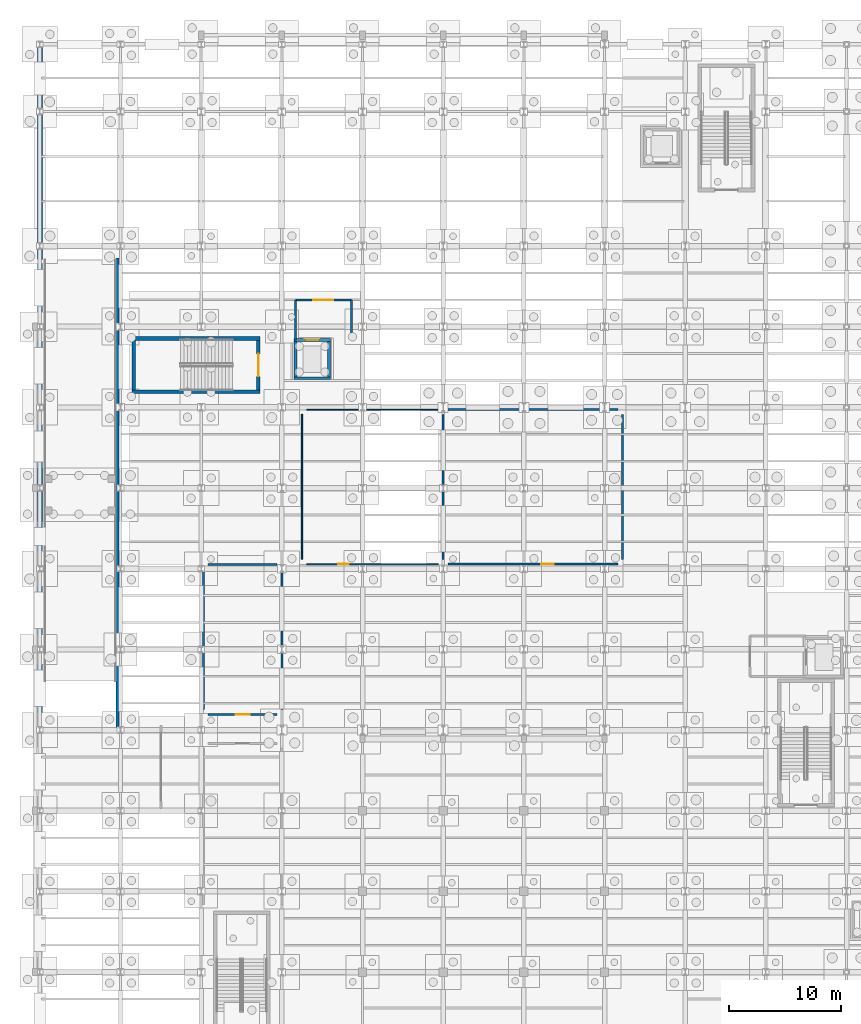
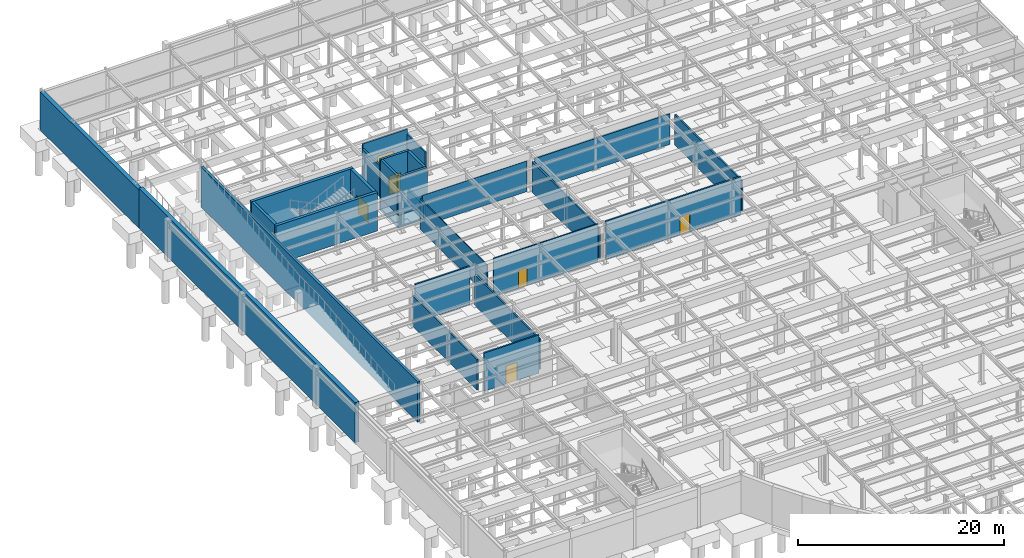
# One storey, part 47 of 64: 29 walls, 6 doors, 6 openings.
"""IFC4 building model written with IfcOpenShell, lengths in metres."""

from ifc_helpers import new_model, si_unit, direction, frame, frame_2d, origin, place, context, subcontext, project, spatial, rectangle, extrude, material, layer, layer_set, type_object, element, fill, save


model = new_model("IFC4")

# Units and contexts
model_context = context("Model", 3, precision=1e-05, world=origin(), true_north=direction((0.0, 1.0)))
body_context = subcontext(model_context, "Body", "Model", "MODEL_VIEW")
ifc_project = project(units=[si_unit("LENGTHUNIT", "METRE"), si_unit("AREAUNIT", "SQUARE_METRE"), si_unit("VOLUMEUNIT", "CUBIC_METRE"), si_unit("PLANEANGLEUNIT", "RADIAN"), si_unit("MASSUNIT", "GRAM", prefix="KILO")], contexts=[model_context])

# Site, building, storey
site_placement = place(None, origin())
site = spatial("IfcSite", under=ifc_project, at=site_placement, CompositionType="ELEMENT")
building_placement = place(site_placement, origin())
building = spatial("IfcBuilding", under=site, at=building_placement, Name="Solvadek Multi-Sports Hall", CompositionType="ELEMENT")
storey_placement = place(building_placement, frame((0.0, 0.0, -4.800048828125)))
storey = spatial("IfcBuildingStorey", under=building, at=storey_placement, Name="B1", CompositionType="ELEMENT", Elevation=-4.800048828125)

# Walls
ifc_material_1 = material(Name="Concrete M40", Category="concrete")
ifc_layer_1 = layer(ifc_material_1, 0.449951171875, Name="Concrete M40")
ifc_layer_set_1 = layer_set([ifc_layer_1], Name="Concrete M40")
wall_type_1 = type_object("IfcWallType", Name="ENV-WAL-RET450", PredefinedType="USERDEFINED", material=ifc_layer_set_1)
wall_1_placement = place(storey_placement, frame((0.0, 110.39990234375, 0.0), z_axis=(0.0, 0.0, 1.0), x_axis=(0.0, -1.0, 0.0)))
element("IfcWall", 1, at=wall_1_placement, inside=storey, type_object=wall_type_1, Name="B1 Basement Retaining Wall #69", ObjectType="RETAININGWALL", PredefinedType="USERDEFINED", context=body_context, shape_type="SweptSolid", body=[
    extrude(rectangle(XDim=19.199951171875, YDim=0.449951171875, at=frame_2d((9.60009765625, 0.0))), origin(), (0.0, 0.0, 1.0), 4.550048828125),
])
wall_2_placement = place(storey_placement, frame((0.0, 91.199951171875, 0.0), z_axis=(0.0, 0.0, 1.0), x_axis=(0.0, -1.0, 0.0)))
element("IfcWall", 2, at=wall_2_placement, inside=storey, type_object=wall_type_1, Name="B1 Basement Ramp Perimeter Retaining Wall #71", ObjectType="RETAININGWALL", PredefinedType="USERDEFINED", context=body_context, shape_type="SweptSolid", body=[
    extrude(rectangle(XDim=42.0, YDim=0.449951171875, at=frame_2d((21.0, 0.0))), origin(), (0.0, 0.0, 1.0), 4.78515625),
])

# Wall, opening, door
ifc_material_2 = material(Name="Autoclaved aerated concrete blockwork", Category="masonry")
ifc_layer_2 = layer(ifc_material_2, 0.10498046875, Name="Autoclaved aerated concrete blockwork")
ifc_layer_set_2 = layer_set([ifc_layer_2], Name="Autoclaved aerated concrete blockwork")
wall_type_2 = type_object("IfcWallType", Name="INT-WAL-PRT105", PredefinedType="PARTITIONING", material=ifc_layer_set_2)
wall_3_placement = place(storey_placement, frame((23.824951171875, 64.0048828125, 0.0), z_axis=(0.0, 0.0, 1.0), x_axis=(1.0, 0.0, 0.0)))
wall_3 = element("IfcWall", 3, at=wall_3_placement, inside=storey, type_object=wall_type_2, Name="B1 Partition Wall B1-09 S", PredefinedType="PARTITIONING", context=body_context, shape_type="SweptSolid", body=[
    extrude(rectangle(XDim=11.75, YDim=0.10498046875, at=frame_2d((5.875, 0.0))), origin(), (0.0, 0.0, 1.0), 4.53515625),
])
opening_1_placement = place(wall_3_placement, frame((2.800048828125, 0.0, 0.0)))
opening_1 = element("IfcOpeningElement", 4, at=opening_1_placement, cuts=wall_3, Name="Opening D-02", PredefinedType="OPENING", context=body_context, shape_type="SweptSolid", body=[
    extrude(rectangle(XDim=0.949951171875, YDim=2.10009765625, at=frame_2d((0.47509765625, 1.050048828125))), frame((0.0, 0.0625, 0.0), z_axis=(0.0, -1.0, 0.0), x_axis=(1.0, 0.0, 0.0)), (0.0, 0.0, 1.0), 0.125),
])
ifc_material_3 = material(Name="Teak hardwood timber", Category="wood")
door_type_1 = type_object("IfcDoorType", Name="INT-DOR-RM095X210", OperationType="NOTDEFINED", PredefinedType="DOOR", material=ifc_material_3)
door_1_placement = place(opening_1_placement, origin())
door_1 = element("IfcDoor", 5, at=door_1_placement, inside=storey, type_object=door_type_1, Name="B1 B1-09 Door #23", OperationType="SINGLE_SWING_RIGHT", OverallHeight=2.10009765625, OverallWidth=0.949951171875, PredefinedType="DOOR", context=body_context, shape_type="SweptSolid", body=[
    extrude(rectangle(XDim=0.949951171875, YDim=2.10009765625, at=frame_2d((0.47509765625, 1.050048828125))), frame((0.0, 0.02490234375, 0.0), z_axis=(0.0, -1.0, 0.0), x_axis=(1.0, 0.0, 0.0)), (0.0, 0.0, 1.0), 0.050048828125),
])
fill(opening_1, door_1)

# Walls
wall_4_placement = place(storey_placement, frame((23.824951171875, 77.800048828125, 0.0), z_axis=(0.0, 0.0, 1.0), x_axis=(1.0, 0.0, 0.0)))
element("IfcWall", 6, at=wall_4_placement, inside=storey, type_object=wall_type_2, Name="B1 Partition Wall B1-09 N", PredefinedType="PARTITIONING", context=body_context, shape_type="SweptSolid", body=[
    extrude(rectangle(XDim=11.75, YDim=0.10498046875, at=frame_2d((5.875, 0.0))), origin(), (0.0, 0.0, 1.0), 3.630126953125),
])
wall_5_placement = place(storey_placement, frame((23.405029296875, 64.425048828125, 0.0), z_axis=(0.0, 0.0, 1.0), x_axis=(0.0, 1.0, 0.0)))
element("IfcWall", 7, at=wall_5_placement, inside=storey, type_object=wall_type_2, Name="B1 Partition Wall B1-09 W", PredefinedType="PARTITIONING", context=body_context, shape_type="SweptSolid", body=[
    extrude(rectangle(XDim=12.954833984375, YDim=0.10498046875, at=frame_2d((6.4775390625, 0.0))), origin(), (0.0, 0.0, 1.0), 3.630126953125),
])

# Wall, opening, door
ifc_layer_3 = layer(ifc_material_2, 0.179931640625, Name="Autoclaved aerated concrete blockwork")
ifc_layer_set_3 = layer_set([ifc_layer_3], Name="Autoclaved aerated concrete blockwork")
wall_type_3 = type_object("IfcWallType", Name="INT-WAL-PRT180", PredefinedType="PARTITIONING", material=ifc_layer_set_3)
wall_6_placement = place(storey_placement, frame((22.800048828125, 87.60009765625, 0.0), z_axis=(0.0, 0.0, 1.0), x_axis=(1.0, 0.0, 0.0)))
wall_6 = element("IfcWall", 8, at=wall_6_placement, inside=storey, type_object=wall_type_3, Name="B1 Firefighting Lobby LF-01 Rated Wall N", PredefinedType="PARTITIONING", context=body_context, shape_type="SweptSolid", body=[
    extrude(rectangle(XDim=5.0, YDim=0.179931640625, at=frame_2d((2.5, 0.0))), origin(), (0.0, 0.0, 1.0), 4.199951171875),
])
opening_2_placement = place(wall_6_placement, frame((1.60009765625, 0.0, 0.0)))
opening_2 = element("IfcOpeningElement", 9, at=opening_2_placement, cuts=wall_6, Name="Opening FD120B", PredefinedType="OPENING", context=body_context, shape_type="SweptSolid", body=[
    extrude(rectangle(XDim=1.800048828125, YDim=2.14990234375, at=frame_2d((0.89990234375, 1.074951171875))), frame((0.0, 0.099853515625, 0.0), z_axis=(0.0, -1.0, 0.0), x_axis=(1.0, 0.0, 0.0)), (0.0, 0.0, 1.0), 0.199951171875),
])
ifc_material_4 = material(Name="Steel E250 (250 MPa)", Category="steel")
door_type_2 = type_object("IfcDoorType", Name="INT-DOR-FD180X215", OperationType="DOUBLE_DOOR_SINGLE_SWING", PredefinedType="DOOR", material=ifc_material_4)
door_2_placement = place(opening_2_placement, origin())
door_2 = element("IfcDoor", 10, at=door_2_placement, inside=storey, type_object=door_type_2, Name="B1 Firefighting Lobby LF-01 Fire Door", OperationType="DOUBLE_DOOR_SINGLE_SWING", OverallHeight=2.14990234375, OverallWidth=1.800048828125, PredefinedType="DOOR", context=body_context, shape_type="SweptSolid", body=[
    extrude(rectangle(XDim=1.800048828125, YDim=2.14990234375, at=frame_2d((0.89990234375, 1.074951171875))), frame((0.0, 0.02490234375, 0.0), z_axis=(0.0, -1.0, 0.0), x_axis=(1.0, 0.0, 0.0)), (0.0, 0.0, 1.0), 0.050048828125),
])
fill(opening_2, door_2)

# Walls
for number, where, z_axis, x_axis, name in (
    (11, (22.800048828125, 84.0, 0.0), (0.0, 0.0, 1.0), (0.0, 1.0, 0.0), "B1 Firefighting Lobby LF-01 Rated Wall W"),
    (12, (27.800048828125, 84.0, 0.0), (0.0, 0.0, 1.0), (0.0, 1.0, 0.0), "B1 Firefighting Lobby LF-01 Rated Wall E"),
):
    element("IfcWall", number, at=place(storey_placement, frame(where, z_axis=z_axis, x_axis=x_axis)), inside=storey, type_object=wall_type_3, Name=name, PredefinedType="PARTITIONING", context=body_context, shape_type="SweptSolid", body=[
        extrude(rectangle(XDim=3.60009765625, YDim=0.179931640625, at=frame_2d((1.800048828125, 0.0))), origin(), (0.0, 0.0, 1.0), 3.630126953125),
    ])

# Wall, opening, door
wall_7_placement = place(storey_placement, frame((15.02001953125, 50.60009765625, 0.0), z_axis=(0.0, 0.0, 1.0), x_axis=(1.0, 0.0, 0.0)))
wall_7 = element("IfcWall", 13, at=wall_7_placement, inside=storey, type_object=wall_type_3, Name="B1 Partition Wall B1-04 S", PredefinedType="PARTITIONING", context=body_context, shape_type="SweptSolid", body=[
    extrude(rectangle(XDim=6.155029296875, YDim=0.179931640625, at=frame_2d((3.07763671875, 0.0))), origin(), (0.0, 0.0, 1.0), 4.53515625),
])
opening_3_placement = place(wall_7_placement, frame((2.452392578125, 0.0, 0.0)))
opening_3 = element("IfcOpeningElement", 14, at=opening_3_placement, cuts=wall_7, Name="Opening FD60B", PredefinedType="OPENING", context=body_context, shape_type="SweptSolid", body=[
    extrude(rectangle(XDim=1.25, YDim=2.14990234375, at=frame_2d((0.625, 1.074951171875))), frame((0.0, 0.099853515625, 0.0), z_axis=(0.0, -1.0, 0.0), x_axis=(1.0, 0.0, 0.0)), (0.0, 0.0, 1.0), 0.199951171875),
])
door_type_3 = type_object("IfcDoorType", Name="INT-DOR-FD125X215", OperationType="NOTDEFINED", PredefinedType="DOOR", material=ifc_material_4)
door_3_placement = place(opening_3_placement, origin())
door_3 = element("IfcDoor", 15, at=door_3_placement, inside=storey, type_object=door_type_3, Name="B1 B1-04 Door #19", OperationType="SINGLE_SWING_RIGHT", OverallHeight=2.14990234375, OverallWidth=1.25, PredefinedType="DOOR", context=body_context, shape_type="SweptSolid", body=[
    extrude(rectangle(XDim=1.25, YDim=2.14990234375, at=frame_2d((0.625, 1.074951171875))), frame((0.0, 0.02490234375, 0.0), z_axis=(0.0, -1.0, 0.0), x_axis=(1.0, 0.0, 0.0)), (0.0, 0.0, 1.0), 0.050048828125),
])
fill(opening_3, door_3)

# Walls
wall_8_placement = place(storey_placement, frame((15.02001953125, 64.0, 0.0), z_axis=(0.0, 0.0, 1.0), x_axis=(1.0, 0.0, 0.0)))
element("IfcWall", 16, at=wall_8_placement, inside=storey, type_object=wall_type_3, Name="B1 Partition Wall B1-04 N", PredefinedType="PARTITIONING", context=body_context, shape_type="SweptSolid", body=[
    extrude(rectangle(XDim=6.155029296875, YDim=0.179931640625, at=frame_2d((3.07763671875, 0.0))), origin(), (0.0, 0.0, 1.0), 4.53515625),
])
for number, where, z_axis, x_axis, name in (
    (17, (14.60009765625, 51.02001953125, 0.0), (0.0, 0.0, 1.0), (0.0, 1.0, 0.0), "B1 Partition Wall B1-04 W"),
    (18, (21.594970703125, 51.02001953125, 0.0), (0.0, 0.0, 1.0), (0.0, 1.0, 0.0), "B1 Partition Wall B1-04 E"),
):
    element("IfcWall", number, at=place(storey_placement, frame(where, z_axis=z_axis, x_axis=x_axis)), inside=storey, type_object=wall_type_3, Name=name, PredefinedType="PARTITIONING", context=body_context, shape_type="SweptSolid", body=[
        extrude(rectangle(XDim=12.56005859375, YDim=0.179931640625, at=frame_2d((6.280029296875, 0.0))), origin(), (0.0, 0.0, 1.0), 3.630126953125),
    ])

# Wall, opening, door
wall_9_placement = place(storey_placement, frame((36.419921875, 64.0048828125, 0.0), z_axis=(0.0, 0.0, 1.0), x_axis=(1.0, 0.0, 0.0)))
wall_9 = element("IfcWall", 19, at=wall_9_placement, inside=storey, type_object=wall_type_3, Name="B1 Partition Wall B1-08 S", PredefinedType="PARTITIONING", context=body_context, shape_type="SweptSolid", body=[
    extrude(rectangle(XDim=15.16015625, YDim=0.179931640625, at=frame_2d((7.580078125, 0.0))), origin(), (0.0, 0.0, 1.0), 4.53515625),
])
opening_4_placement = place(wall_9_placement, frame((8.330078125, 0.0, 0.0)))
opening_4 = element("IfcOpeningElement", 20, at=opening_4_placement, cuts=wall_9, Name="Opening FD60", PredefinedType="OPENING", context=body_context, shape_type="SweptSolid", body=[
    extrude(rectangle(XDim=1.10009765625, YDim=2.14990234375, at=frame_2d((0.550048828125, 1.074951171875))), frame((0.0, 0.099853515625, 0.0), z_axis=(0.0, -1.0, 0.0), x_axis=(1.0, 0.0, 0.0)), (0.0, 0.0, 1.0), 0.199951171875),
])
door_type_4 = type_object("IfcDoorType", Name="INT-DOR-FD110X215", OperationType="NOTDEFINED", PredefinedType="DOOR", material=ifc_material_4)
door_4_placement = place(opening_4_placement, origin())
door_4 = element("IfcDoor", 21, at=door_4_placement, inside=storey, type_object=door_type_4, Name="B1 B1-08 Door #22", OperationType="SINGLE_SWING_LEFT", OverallHeight=2.14990234375, OverallWidth=1.10009765625, PredefinedType="DOOR", context=body_context, shape_type="SweptSolid", body=[
    extrude(rectangle(XDim=1.10009765625, YDim=2.14990234375, at=frame_2d((0.550048828125, 1.074951171875))), frame((0.0, 0.02490234375, 0.0), z_axis=(0.0, -1.0, 0.0), x_axis=(1.0, 0.0, 0.0)), (0.0, 0.0, 1.0), 0.050048828125),
])
fill(opening_4, door_4)

# Walls
wall_10_placement = place(storey_placement, frame((36.419921875, 77.800048828125, 0.0), z_axis=(0.0, 0.0, 1.0), x_axis=(1.0, 0.0, 0.0)))
element("IfcWall", 22, at=wall_10_placement, inside=storey, type_object=wall_type_3, Name="B1 Partition Wall B1-08 N", PredefinedType="PARTITIONING", context=body_context, shape_type="SweptSolid", body=[
    extrude(rectangle(XDim=15.16015625, YDim=0.179931640625, at=frame_2d((7.580078125, 0.0))), origin(), (0.0, 0.0, 1.0), 3.630126953125),
])
for number, where, z_axis, x_axis, name in (
    (23, (36.0, 64.425048828125, 0.0), (0.0, 0.0, 1.0), (0.0, 1.0, 0.0), "B1 Partition Wall B1-08 W"),
    (24, (52.0, 64.425048828125, 0.0), (0.0, 0.0, 1.0), (0.0, 1.0, 0.0), "B1 Partition Wall B1-08 E"),
):
    element("IfcWall", number, at=place(storey_placement, frame(where, z_axis=z_axis, x_axis=x_axis)), inside=storey, type_object=wall_type_3, Name=name, PredefinedType="PARTITIONING", context=body_context, shape_type="SweptSolid", body=[
        extrude(rectangle(XDim=12.954833984375, YDim=0.179931640625, at=frame_2d((6.4775390625, 0.0))), origin(), (0.0, 0.0, 1.0), 3.630126953125),
    ])
ifc_layer_4 = layer(ifc_material_1, 0.260009765625, Name="Concrete M40")
ifc_layer_set_4 = layer_set([ifc_layer_4], Name="Concrete M40")
wall_type_4 = type_object("IfcWallType", Name="INT-WAL-SHR260", PredefinedType="SHEAR", material=ifc_layer_set_4)
for number, where, z_axis, x_axis, name in (
    (25, (22.669921875, 80.60009765625, -1.5), (0.0, 0.0, 1.0), (1.0, 0.0, 0.0), "Lift LF-01 Shaft Shear Wall pit south"),
    (26, (22.669921875, 84.0, -1.5), (0.0, 0.0, 1.0), (1.0, 0.0, 0.0), "Lift LF-01 Shaft Shear Wall pit north"),
):
    element("IfcWall", number, at=place(storey_placement, frame(where, z_axis=z_axis, x_axis=x_axis)), inside=storey, type_object=wall_type_4, Name=name, PredefinedType="SHEAR", context=body_context, shape_type="SweptSolid", body=[
        extrude(rectangle(XDim=3.260009765625, YDim=0.260009765625, at=frame_2d((1.6298828125, 0.0))), origin(), (0.0, 0.0, 1.0), 1.5),
    ])
for number, where, z_axis, x_axis, name in (
    (27, (22.800048828125, 80.72998046875, -1.5), (0.0, 0.0, 1.0), (0.0, 1.0, 0.0), "Lift LF-01 Shaft Shear Wall pit west"),
    (28, (25.800048828125, 80.72998046875, -1.5), (0.0, 0.0, 1.0), (0.0, 1.0, 0.0), "Lift LF-01 Shaft Shear Wall pit east"),
):
    element("IfcWall", number, at=place(storey_placement, frame(where, z_axis=z_axis, x_axis=x_axis)), inside=storey, type_object=wall_type_4, Name=name, PredefinedType="SHEAR", context=body_context, shape_type="SweptSolid", body=[
        extrude(rectangle(XDim=3.14013671875, YDim=0.260009765625, at=frame_2d((1.570068359375, 0.0))), origin(), (0.0, 0.0, 1.0), 1.5),
    ])
wall_11_placement = place(storey_placement, frame((22.669921875, 80.60009765625, 0.0), z_axis=(0.0, 0.0, 1.0), x_axis=(1.0, 0.0, 0.0)))
element("IfcWall", 29, at=wall_11_placement, inside=storey, type_object=wall_type_4, Name="Lift LF-01 Shaft Shear Wall B1 south", PredefinedType="SHEAR", context=body_context, shape_type="SweptSolid", body=[
    extrude(rectangle(XDim=3.260009765625, YDim=0.260009765625, at=frame_2d((1.6298828125, 0.0))), origin(), (0.0, 0.0, 1.0), 4.550048828125),
])

# Wall, opening, door
wall_12_placement = place(storey_placement, frame((22.669921875, 84.0, 0.0), z_axis=(0.0, 0.0, 1.0), x_axis=(1.0, 0.0, 0.0)))
wall_12 = element("IfcWall", 30, at=wall_12_placement, inside=storey, type_object=wall_type_4, Name="Lift LF-01 Shaft Shear Wall B1 north", PredefinedType="SHEAR", context=body_context, shape_type="SweptSolid", body=[
    extrude(rectangle(XDim=3.260009765625, YDim=0.260009765625, at=frame_2d((1.6298828125, 0.0))), origin(), (0.0, 0.0, 1.0), 4.550048828125),
])
opening_5_placement = place(wall_12_placement, frame((0.97998046875, 0.0, 0.0)))
opening_5 = element("IfcOpeningElement", 31, at=opening_5_placement, cuts=wall_12, Name="Opening LD-01", PredefinedType="OPENING", context=body_context, shape_type="SweptSolid", body=[
    extrude(rectangle(XDim=1.300048828125, YDim=2.199951171875, at=frame_2d((0.64990234375, 1.10009765625))), frame((0.0, 0.139892578125, 0.0), z_axis=(0.0, -1.0, 0.0), x_axis=(1.0, 0.0, 0.0)), (0.0, 0.0, 1.0), 0.280029296875),
])
ifc_material_5 = material(Name="Anodised aluminium", Category="aluminium")
door_type_5 = type_object("IfcDoorType", Name="INT-DOR-LD130X220", OperationType="DOUBLE_DOOR_SLIDING", PredefinedType="DOOR", material=ifc_material_5)
door_5_placement = place(opening_5_placement, origin())
door_5 = element("IfcDoor", 32, at=door_5_placement, inside=storey, type_object=door_type_5, Name="B1 Lift LF-01 Sliding Landing Door LD-01", OperationType="DOUBLE_DOOR_SLIDING", OverallHeight=2.199951171875, OverallWidth=1.300048828125, PredefinedType="DOOR", context=body_context, shape_type="SweptSolid", body=[
    extrude(rectangle(XDim=1.300048828125, YDim=2.199951171875, at=frame_2d((0.64990234375, 1.10009765625))), frame((0.0, 0.02490234375, 0.0), z_axis=(0.0, -1.0, 0.0), x_axis=(1.0, 0.0, 0.0)), (0.0, 0.0, 1.0), 0.050048828125),
])
fill(opening_5, door_5)

# Walls
for number, where, z_axis, x_axis, name in (
    (33, (22.800048828125, 80.72998046875, 0.0), (0.0, 0.0, 1.0), (0.0, 1.0, 0.0), "Lift LF-01 Shaft Shear Wall B1 west"),
    (34, (25.800048828125, 80.72998046875, 0.0), (0.0, 0.0, 1.0), (0.0, 1.0, 0.0), "Lift LF-01 Shaft Shear Wall B1 east"),
):
    element("IfcWall", number, at=place(storey_placement, frame(where, z_axis=z_axis, x_axis=x_axis)), inside=storey, type_object=wall_type_4, Name=name, PredefinedType="SHEAR", context=body_context, shape_type="SweptSolid", body=[
        extrude(rectangle(XDim=3.14013671875, YDim=0.260009765625, at=frame_2d((1.570068359375, 0.0))), origin(), (0.0, 0.0, 1.0), 4.550048828125),
    ])
wall_13_placement = place(storey_placement, frame((6.929931640625, 49.199951171875, 0.0), z_axis=(0.0, 0.0, 1.0), x_axis=(0.0, 1.0, 0.0)))
element("IfcWall", 35, at=wall_13_placement, inside=storey, type_object=wall_type_4, Name="B1 VR-01 Ramp Side Shear Wall E", PredefinedType="SHEAR", context=body_context, shape_type="SweptSolid", body=[
    extrude(rectangle(XDim=42.150146484375, YDim=0.260009765625, at=frame_2d((21.0751953125, 0.0))), origin(), (0.0, 0.0, 1.0), 4.780029296875),
])
ifc_layer_5 = layer(ifc_material_1, 0.320068359375, Name="Concrete M40")
ifc_layer_set_5 = layer_set([ifc_layer_5], Name="Concrete M40")
wall_type_5 = type_object("IfcWallType", Name="INT-WAL-SHR320", PredefinedType="SHEAR", material=ifc_layer_set_5)
for number, where, z_axis, x_axis, name in (
    (36, (8.239990234375, 79.39990234375, 0.0), (0.0, 0.0, 1.0), (1.0, 0.0, 0.0), "B1 Stair ST-02 Shear Wall S"),
    (37, (8.239990234375, 84.14990234375, 0.0), (0.0, 0.0, 1.0), (1.0, 0.0, 0.0), "B1 Stair ST-02 Shear Wall N"),
):
    element("IfcWall", number, at=place(storey_placement, frame(where, z_axis=z_axis, x_axis=x_axis)), inside=storey, type_object=wall_type_5, Name=name, PredefinedType="SHEAR", context=body_context, shape_type="SweptSolid", body=[
        extrude(rectangle(XDim=11.419921875, YDim=0.320068359375, at=frame_2d((5.7099609375, 0.0))), origin(), (0.0, 0.0, 1.0), 4.550048828125),
    ])
wall_14_placement = place(storey_placement, frame((8.39990234375, 79.56005859375, 0.0), z_axis=(0.0, 0.0, 1.0), x_axis=(0.0, 1.0, 0.0)))
element("IfcWall", 38, at=wall_14_placement, inside=storey, type_object=wall_type_5, Name="B1 Stair ST-02 Shear Wall W", PredefinedType="SHEAR", context=body_context, shape_type="SweptSolid", body=[
    extrude(rectangle(XDim=4.429931640625, YDim=0.320068359375, at=frame_2d((2.21484375, 0.0))), origin(), (0.0, 0.0, 1.0), 4.550048828125),
])

# Wall, opening, door
wall_15_placement = place(storey_placement, frame((19.5, 79.56005859375, 0.0), z_axis=(0.0, 0.0, 1.0), x_axis=(0.0, 1.0, 0.0)))
wall_15 = element("IfcWall", 39, at=wall_15_placement, inside=storey, type_object=wall_type_5, Name="B1 Stair ST-02 Shear Wall E", PredefinedType="SHEAR", context=body_context, shape_type="SweptSolid", body=[
    extrude(rectangle(XDim=4.429931640625, YDim=0.320068359375, at=frame_2d((2.21484375, 0.0))), origin(), (0.0, 0.0, 1.0), 4.550048828125),
])
opening_6_placement = place(wall_15_placement, frame((1.215087890625, 0.0, 0.0)))
opening_6 = element("IfcOpeningElement", 40, at=opening_6_placement, cuts=wall_15, Name="Opening FD120", PredefinedType="OPENING", context=body_context, shape_type="SweptSolid", body=[
    extrude(rectangle(XDim=2.0, YDim=2.14990234375, at=frame_2d((1.0, 1.074951171875))), frame((0.0, 0.169921875, 0.0), z_axis=(0.0, -1.0, 0.0), x_axis=(1.0, 0.0, 0.0)), (0.0, 0.0, 1.0), 0.340087890625),
])
door_type_6 = type_object("IfcDoorType", Name="INT-DOR-FD200X215", OperationType="DOUBLE_DOOR_SINGLE_SWING", PredefinedType="DOOR", material=ifc_material_4)
door_6_placement = place(opening_6_placement, origin())
door_6 = element("IfcDoor", 41, at=door_6_placement, inside=storey, type_object=door_type_6, Name="B1 Stair ST-02 Fire Door", OperationType="DOUBLE_DOOR_SINGLE_SWING", OverallHeight=2.14990234375, OverallWidth=2.0, PredefinedType="DOOR", context=body_context, shape_type="SweptSolid", body=[
    extrude(rectangle(XDim=2.0, YDim=2.14990234375, at=frame_2d((1.0, 1.074951171875))), frame((0.0, 0.02490234375, 0.0), z_axis=(0.0, -1.0, 0.0), x_axis=(1.0, 0.0, 0.0)), (0.0, 0.0, 1.0), 0.050048828125),
])
fill(opening_6, door_6)

save(model, "model.ifc")
